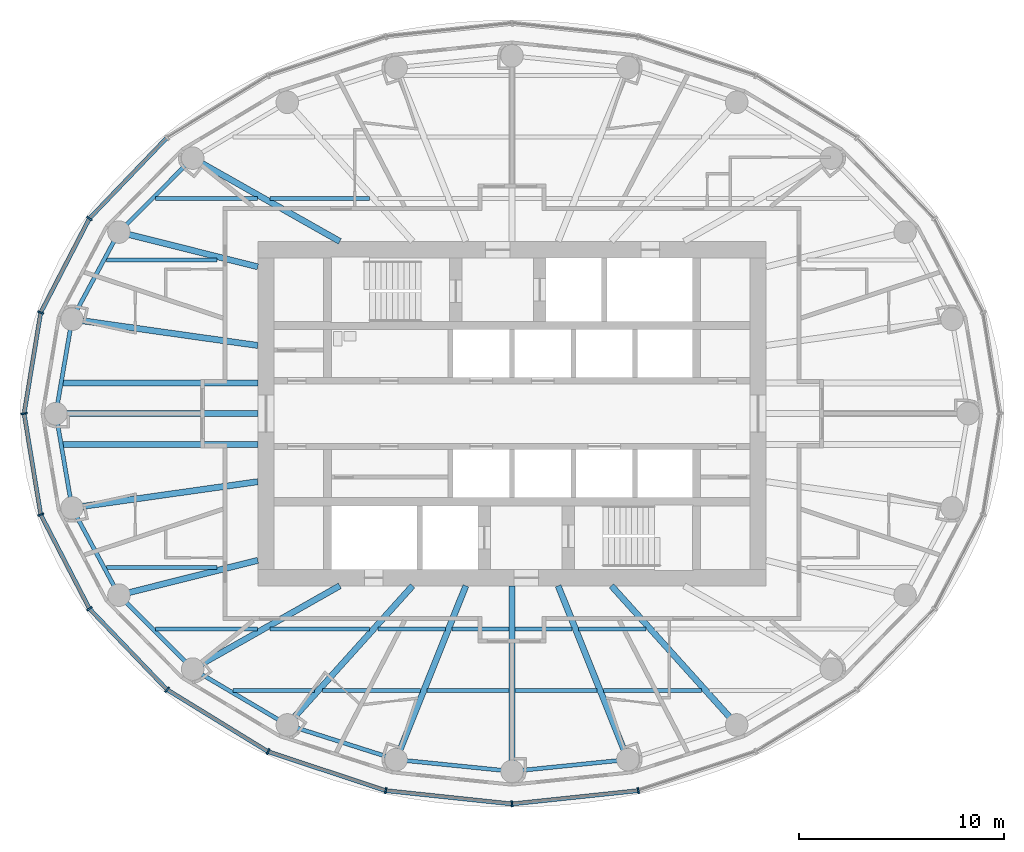
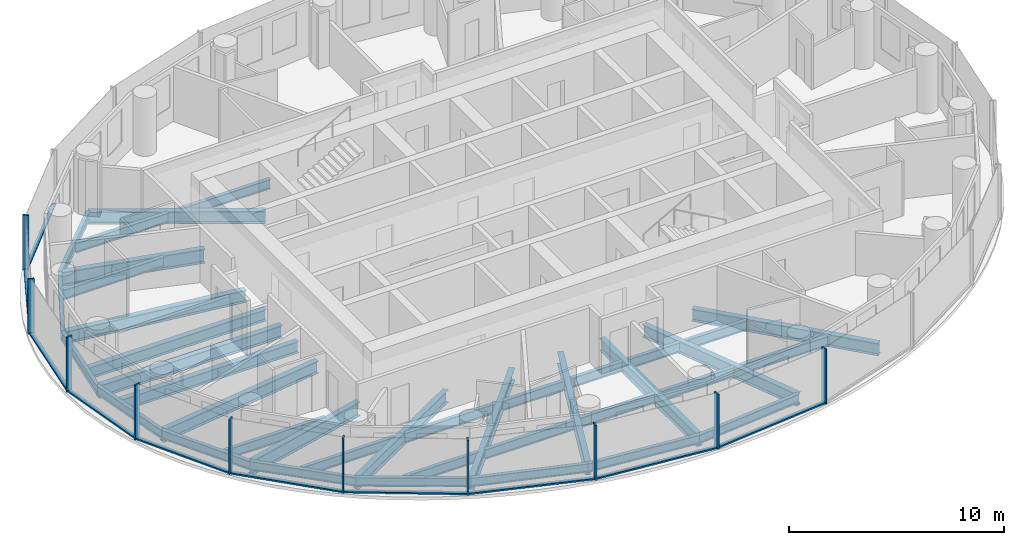
# One storey, part 2 of 16: 39 beams, 20 members, 3 elements without a shape of their own.
"""IFC4 building model written with IfcOpenShell, lengths in metres."""

import ifcopenshell
import ifcopenshell.guid

model = None  # the IFC model being written
_history = None  # IfcOwnerHistory: only IFC2X3 demands one
_inside = {}  # id of a spatial element -> (the spatial element, [elements in it])
_under = {}  # id of a project, library or spatial element -> (it, [spatial elements below it])
_declared = {}  # id of a project -> (the project, [libraries it declares])
_typed = {}  # id of a type object -> (the type object, [elements of that type])
_made_of = {}  # id of a material, layer set ... -> (it, [elements and type objects made of it])


def new_model(schema):
    """Start an empty IFC model of exactly this schema.

    Asked for "IFC4X3", IfcOpenShell would pick the latest addendum, in which some entities
    have other attributes; the version numbers below select the first issue.
    IFC2X3 requires an IfcOwnerHistory on every rooted entity: one is made here for all.
    """
    global model, _history
    if schema == "IFC4X3":
        model = ifcopenshell.file(schema_version=(4, 3, 0, 0))
    else:
        model = ifcopenshell.file(schema=schema)
    _inside.clear()
    _under.clear()
    _declared.clear()
    _typed.clear()
    _made_of.clear()
    _history = None
    if model.schema == "IFC2X3":
        org = make("IfcOrganization", Name="unknown")
        user = make(
            "IfcPersonAndOrganization",
            ThePerson=make("IfcPerson", FamilyName="unknown"),
            TheOrganization=org,
        )
        app = make(
            "IfcApplication",
            ApplicationDeveloper=org,
            Version="unknown",
            ApplicationFullName="unknown",
            ApplicationIdentifier="unknown",
        )
        _history = make(
            "IfcOwnerHistory",
            OwningUser=user,
            OwningApplication=app,
            ChangeAction="ADDED",
            CreationDate=0,
        )
    return model


def make(cls, **values):
    """One entity of the class cls with the attributes given. An attribute that is None is left unset."""
    return model.create_entity(
        cls, **{name: value for name, value in values.items() if value is not None}
    )


def rooted(cls, **values):
    """An entity with a GlobalId (a new one), such as an element, a storey or a relation."""
    return make(cls, GlobalId=ifcopenshell.guid.new(), OwnerHistory=_history, **values)


def si_unit(unit_type, name, prefix=None):
    """IfcSIUnit, for example si_unit("LENGTHUNIT", "METRE", prefix="MILLI")."""
    return make("IfcSIUnit", UnitType=unit_type, Prefix=prefix, Name=name)


def assignment(units):
    """IfcUnitAssignment: the units of a project."""
    return None if units is None else make("IfcUnitAssignment", Units=units)


def point(xyz):
    """IfcCartesianPoint."""
    return None if xyz is None else make("IfcCartesianPoint", Coordinates=xyz)


def direction(xyz):
    """IfcDirection."""
    return None if xyz is None else make("IfcDirection", DirectionRatios=xyz)


def frame(location, z_axis=None, x_axis=None):
    """IfcAxis2Placement3D, a coordinate frame: its origin and axes. An axis left out is left unset."""
    return make(
        "IfcAxis2Placement3D",
        Location=point(location),
        Axis=direction(z_axis),
        RefDirection=direction(x_axis),
    )


def frame_2d(location, x_axis=None):
    """IfcAxis2Placement2D, a coordinate frame in the plane: its origin and x axis."""
    return make(
        "IfcAxis2Placement2D", Location=point(location), RefDirection=direction(x_axis)
    )


def origin():
    """The frame at (0, 0, 0) with its axes left unset."""
    return frame((0.0, 0.0, 0.0))


def origin_2d():
    """The frame at (0, 0) in the plane with its x axis left unset."""
    return frame_2d((0.0, 0.0))


def place(relative_to, where):
    """IfcLocalPlacement: puts the frame where relative to a parent placement (None: the world)."""
    return make(
        "IfcLocalPlacement", PlacementRelTo=relative_to, RelativePlacement=where
    )


def context(
    kind, dimensions, precision=None, world=None, true_north=None, identifier=None
):
    """IfcGeometricRepresentationContext, for example the 3D "Model" context."""
    return make(
        "IfcGeometricRepresentationContext",
        ContextIdentifier=identifier,
        ContextType=kind,
        CoordinateSpaceDimension=dimensions,
        Precision=precision,
        WorldCoordinateSystem=world,
        TrueNorth=true_north,
    )


def subcontext(parent, identifier, kind, view, scale=None):
    """IfcGeometricRepresentationSubContext, for example "Body" below "Model"."""
    return make(
        "IfcGeometricRepresentationSubContext",
        ContextIdentifier=identifier,
        ContextType=kind,
        ParentContext=parent,
        TargetScale=scale,
        TargetView=view,
    )


def project(units=None, contexts=None):
    """IfcProject with its units and contexts."""
    return rooted(
        "IfcProject",
        Name="project",
        RepresentationContexts=contexts,
        UnitsInContext=assignment(units),
    )


def spatial(cls, under=None, at=None, **own):
    """A site, building, storey or space (cls), placed at a placement, below another one or the project."""
    s = rooted(cls, ObjectPlacement=at, **own)
    if under is not None:
        _under.setdefault(under.id(), (under, []))[1].append(s)
    return s


def profile(cls, at=None, kind="AREA", **sizes):
    """A parametric profile (cls). Its sizes go by their IFC names, for example OverallWidth=200.0."""
    return make(cls, ProfileType=kind, Position=at, **sizes)


def rectangle(**sizes):
    """IfcRectangleProfileDef."""
    return profile("IfcRectangleProfileDef", **sizes)


def i_section(**sizes):
    """IfcIShapeProfileDef."""
    return profile("IfcIShapeProfileDef", **sizes)


def extrude(swept, where, along, depth):
    """IfcExtrudedAreaSolid: the profile swept, set in the frame where, extruded along a direction by depth."""
    return make(
        "IfcExtrudedAreaSolid",
        SweptArea=swept,
        Position=where,
        ExtrudedDirection=direction(along),
        Depth=depth,
    )


def shape(context_of_items, identifier, shape_type, items):
    """IfcShapeRepresentation: the items that make up one representation, for example the "Body"."""
    return make(
        "IfcShapeRepresentation",
        ContextOfItems=context_of_items,
        RepresentationIdentifier=identifier,
        RepresentationType=shape_type,
        Items=items,
    )


def material(Name=None, Category=None):
    """IfcMaterial."""
    return make("IfcMaterial", Name=Name, Category=Category)


def material_profile(
    of_material, cross_section, Name=None, Category=None, Priority=None
):
    """IfcMaterialProfile: a cross section and its material."""
    return make(
        "IfcMaterialProfile",
        Name=Name,
        Material=of_material,
        Profile=cross_section,
        Priority=Priority,
        Category=Category,
    )


def profile_set(profiles, Name=None, composite=None):
    """IfcMaterialProfileSet."""
    return make(
        "IfcMaterialProfileSet",
        Name=Name,
        MaterialProfiles=profiles,
        CompositeProfile=composite,
    )


def made_of(thing, what):
    """Note that an element or type object is made of a material, layer set ...; save() writes the relation."""
    if what is not None:
        _made_of.setdefault(what.id(), (what, []))[1].append(thing)
    return thing


def type_object(cls, material=None, **own):
    """A type object (cls), such as IfcWallType, which elements share."""
    return made_of(rooted(cls, **own), material)


def element(
    cls,
    number,
    at=None,
    inside=None,
    cuts=None,
    type_object=None,
    material=None,
    context=None,
    identifier="Body",
    shape_type=None,
    held_by="IfcProductDefinitionShape",
    body=None,
    shapes=None,
    **own,
):
    """One element of the class cls, such as IfcWall. Its Tag is "e" and its number.

    at: its placement. inside: the storey or other place that contains it. cuts: it is an
    opening in that element (IfcRelVoidsElement). A single representation is given by context,
    identifier, shape_type and body (its items); several are given by shapes. held_by: the class
    of the entity that holds the representations. save() writes the other relations.
    """
    e = rooted(cls, Tag="e%d" % number, ObjectPlacement=at, **own)
    if body is not None:
        shapes = [shape(context, identifier, shape_type, body)]
    if shapes is not None:
        e.Representation = make(held_by, Representations=shapes)
    if inside is not None:
        _inside.setdefault(inside.id(), (inside, []))[1].append(e)
    if cuts is not None:
        rooted(
            "IfcRelVoidsElement", RelatingBuildingElement=cuts, RelatedOpeningElement=e
        )
    if type_object is not None:
        _typed.setdefault(type_object.id(), (type_object, []))[1].append(e)
    return made_of(e, material)


def aggregate(whole, parts):
    """IfcRelAggregates: a whole, such as a stair, and the parts it consists of."""
    return rooted("IfcRelAggregates", RelatingObject=whole, RelatedObjects=parts)


def save(model, path):
    """Write the relations noted so far, then the file.

    IfcRelAggregates (storeys below a building ...), IfcRelContainedInSpatialStructure (elements
    in a storey), IfcRelDefinesByType, IfcRelAssociatesMaterial and IfcRelDeclares: one each for
    every whole, place, type object, material and project.
    """
    for whole, parts in _under.values():
        aggregate(whole, parts)
    for where, things in _inside.values():
        rooted(
            "IfcRelContainedInSpatialStructure",
            RelatedElements=things,
            RelatingStructure=where,
        )
    for kind, things in _typed.values():
        rooted("IfcRelDefinesByType", RelatedObjects=things, RelatingType=kind)
    for what, things in _made_of.values():
        rooted("IfcRelAssociatesMaterial", RelatedObjects=things, RelatingMaterial=what)
    for by, libraries in _declared.values():
        rooted("IfcRelDeclares", RelatingContext=by, RelatedDefinitions=libraries)
    model.write(path)


model = new_model("IFC4")

# Units and contexts
model_context = context("Model", 3, precision=1e-05, world=origin(), true_north=direction((0.0, 1.0)))
body_context = subcontext(model_context, "Body", "Model", "MODEL_VIEW")
ifc_project = project(units=[si_unit("LENGTHUNIT", "METRE"), si_unit("AREAUNIT", "SQUARE_METRE"), si_unit("VOLUMEUNIT", "CUBIC_METRE"), si_unit("PLANEANGLEUNIT", "RADIAN"), si_unit("MASSUNIT", "GRAM", prefix="KILO")], contexts=[model_context])

# Site, building, storey
site_placement = place(None, origin())
site = spatial("IfcSite", under=ifc_project, at=site_placement, CompositionType="ELEMENT")
building_placement = place(site_placement, origin())
building = spatial("IfcBuilding", under=site, at=building_placement, Name="Hankou Lantern Tower", CompositionType="ELEMENT")
storey_placement = place(building_placement, frame((0.0, 0.0, 150.0)))
storey = spatial("IfcBuildingStorey", under=building, at=storey_placement, Name="L39", CompositionType="ELEMENT", Elevation=150.0)

# Beams
ifc_material_1 = material(Name="Steel Q355B", Category="steel")
ifc_material_profile_1 = material_profile(ifc_material_1, i_section(OverallWidth=0.199951171875, OverallDepth=0.5, WebThickness=0.010009765625, FlangeThickness=0.01611328125, FilletRadius=0.012939453125, at=origin_2d()), Name="HN500x200x10x16")
ifc_profile_set_1 = profile_set([ifc_material_profile_1], Name="Steel Q355B")
beam_type_1 = type_object("IfcBeamType", Name="EB5 RING BEAM HN500x200x10x16", PredefinedType="SPANDREL", material=ifc_profile_set_1)
beam_1_placement = place(storey_placement, frame((-15.576171875, 12.4609375, -0.429931640625), z_axis=(-0.706147278092, -0.708064984054, 0.0), x_axis=(0.708064984054, -0.706147278092, 0.0)))
element("IfcBeam", 1, at=beam_1_placement, inside=storey, type_object=beam_type_1, Name="Ring beam R10-R11 L39", PredefinedType="SPANDREL", context=body_context, shape_type="SweptSolid", body=[
    extrude(i_section(OverallWidth=0.199951171875, OverallDepth=0.5, WebThickness=0.010009765625, FlangeThickness=0.01611328125, FilletRadius=0.012939453125, at=origin_2d()), origin(), (0.0, 0.0, 1.0), 5.09228515625),
])
beam_2_placement = place(storey_placement, frame((-19.172119140625, 8.855224609375, -0.429931640625), z_axis=(-0.474051612334, -0.880497057828, 0.0), x_axis=(0.880497057828, -0.474051612334, 0.0)))
element("IfcBeam", 2, at=beam_2_placement, inside=storey, type_object=beam_type_1, Name="Ring beam R11-R12 L39", PredefinedType="SPANDREL", context=body_context, shape_type="SweptSolid", body=[
    extrude(i_section(OverallWidth=0.199951171875, OverallDepth=0.5, WebThickness=0.010009765625, FlangeThickness=0.01611328125, FilletRadius=0.012939453125, at=origin_2d()), origin(), (0.0, 0.0, 1.0), 4.831787109375),
])
for number, where, z_axis, x_axis, name in (
    (3, (-21.462646484375, 4.600830078125, -0.429931640625), (-0.168680718946, -0.985670743735, 0.0), (0.985670743735, -0.168680718946, 0.0), "Ring beam R12-R13 L39"),
    (4, (-22.25, 0.0, -0.429931640625), (0.168680718946, -0.985670743735, 0.0), (0.985670743735, 0.168680718946, 0.0), "Ring beam R13-R14 L39"),
):
    element("IfcBeam", number, at=place(storey_placement, frame(where, z_axis=z_axis, x_axis=x_axis)), inside=storey, type_object=beam_type_1, Name=name, PredefinedType="SPANDREL", context=body_context, shape_type="SweptSolid", body=[
        extrude(i_section(OverallWidth=0.199951171875, OverallDepth=0.5, WebThickness=0.010009765625, FlangeThickness=0.01611328125, FilletRadius=0.012939453125, at=origin_2d()), origin(), (0.0, 0.0, 1.0), 4.667724609375),
    ])
beam_3_placement = place(storey_placement, frame((-21.462646484375, -4.600830078125, -0.429931640625), z_axis=(0.474051612334, -0.880497057828, 0.0), x_axis=(0.880497057828, 0.474051612334, 0.0)))
element("IfcBeam", 5, at=beam_3_placement, inside=storey, type_object=beam_type_1, Name="Ring beam R14-R15 L39", PredefinedType="SPANDREL", context=body_context, shape_type="SweptSolid", body=[
    extrude(i_section(OverallWidth=0.199951171875, OverallDepth=0.5, WebThickness=0.010009765625, FlangeThickness=0.01611328125, FilletRadius=0.012939453125, at=origin_2d()), origin(), (0.0, 0.0, 1.0), 4.831787109375),
])
beam_4_placement = place(storey_placement, frame((-19.172119140625, -8.855224609375, -0.429931640625), z_axis=(0.706147278092, -0.708064984054, 0.0), x_axis=(0.708064984054, 0.706147278092, 0.0)))
element("IfcBeam", 6, at=beam_4_placement, inside=storey, type_object=beam_type_1, Name="Ring beam R15-R16 L39", PredefinedType="SPANDREL", context=body_context, shape_type="SweptSolid", body=[
    extrude(i_section(OverallWidth=0.199951171875, OverallDepth=0.5, WebThickness=0.010009765625, FlangeThickness=0.01611328125, FilletRadius=0.012939453125, at=origin_2d()), origin(), (0.0, 0.0, 1.0), 5.09228515625),
])
beam_5_placement = place(storey_placement, frame((-15.576171875, -12.4609375, -0.429931640625), z_axis=(0.861135888339, -0.508374843806, 0.0), x_axis=(0.508374843806, 0.861135888339, 0.0)))
element("IfcBeam", 7, at=beam_5_placement, inside=storey, type_object=beam_type_1, Name="Ring beam R16-R17 L39", PredefinedType="SPANDREL", context=body_context, shape_type="SweptSolid", body=[
    extrude(i_section(OverallWidth=0.199951171875, OverallDepth=0.5, WebThickness=0.010009765625, FlangeThickness=0.01611328125, FilletRadius=0.012939453125, at=origin_2d()), origin(), (0.0, 0.0, 1.0), 5.36083984375),
])
beam_6_placement = place(storey_placement, frame((-10.959716796875, -15.186279296875, -0.429931640625), z_axis=(0.952790404271, -0.30362879562, 0.0), x_axis=(0.30362879562, 0.952790404271, 0.0)))
element("IfcBeam", 8, at=beam_6_placement, inside=storey, type_object=beam_type_1, Name="Ring beam R17-R18 L39", PredefinedType="SPANDREL", context=body_context, shape_type="SweptSolid", body=[
    extrude(i_section(OverallWidth=0.199951171875, OverallDepth=0.5, WebThickness=0.010009765625, FlangeThickness=0.01611328125, FilletRadius=0.012939453125, at=origin_2d()), origin(), (0.0, 0.0, 1.0), 5.56982421875),
])
for number, where, z_axis, x_axis, name in (
    (9, (-5.65283203125, -16.87744140625, -0.429931640625), (0.9949104636, -0.100762936734, 0.0), (0.100762936734, 0.9949104636, 0.0), "Ring beam R18-R19 L39"),
    (10, (0.0, -17.449951171875, -0.429931640625), (0.9949104636, 0.100762936734, 0.0), (-0.100762936734, 0.9949104636, 0.0), "Ring beam R19-R20 L39"),
):
    element("IfcBeam", number, at=place(storey_placement, frame(where, z_axis=z_axis, x_axis=x_axis)), inside=storey, type_object=beam_type_1, Name=name, PredefinedType="SPANDREL", context=body_context, shape_type="SweptSolid", body=[
        extrude(i_section(OverallWidth=0.199951171875, OverallDepth=0.5, WebThickness=0.010009765625, FlangeThickness=0.01611328125, FilletRadius=0.012939453125, at=origin_2d()), origin(), (0.0, 0.0, 1.0), 5.681640625),
    ])

# Curtain wall, members
ifc_material_2 = material(Name="Glass, dark grey tinted laminated", Category="glass")
curtain_wall_type = type_object("IfcCurtainWallType", Name="CWC OUTER SKIN HIGH-RISE", PredefinedType="USERDEFINED", material=ifc_material_2)
curtain_wall_1_placement = place(storey_placement, origin())
curtain_wall_1 = element("IfcCurtainWall", 11, at=curtain_wall_1_placement, inside=storey, type_object=curtain_wall_type, Name="CWC L39 OS2", ObjectType="OUTER SKIN HIGH-RISE", PredefinedType="USERDEFINED")
ifc_material_3 = material(Name="Aluminium, black anodised", Category="aluminium")
ifc_material_profile_2 = material_profile(ifc_material_3, rectangle(XDim=0.080078125, YDim=0.300048828125, at=origin_2d()), Name="MU1 80X300")
ifc_profile_set_2 = profile_set([ifc_material_profile_2], Name="Aluminium, black anodised")
member_type_1 = type_object("IfcMemberType", Name="MU1 OUTER SKIN MULLION 80X300", PredefinedType="MULLION", material=ifc_profile_set_2)
member_1_placement = place(storey_placement, frame((-20.611328125, 9.52001953125, 0.0), z_axis=(0.0, 0.0, 1.0), x_axis=(-0.585205735974, -0.810884854084, 0.0)))
member_1 = element("IfcMember", 12, at=member_1_placement, type_object=member_type_1, Name="CWC mullion 5", PredefinedType="MULLION", context=body_context, shape_type="SweptSolid", body=[
    extrude(rectangle(XDim=0.080078125, YDim=0.300048828125, at=origin_2d()), origin(), (0.0, 0.0, 1.0), 3.1201171875),
])
member_2_placement = place(storey_placement, frame((-22.989013671875, 4.927978515625, 0.0), z_axis=(0.0, 0.0, 1.0), x_axis=(-0.317595577365, -0.94822626479, 0.0)))
member_2 = element("IfcMember", 13, at=member_2_placement, type_object=member_type_1, Name="CWC mullion 6", PredefinedType="MULLION", context=body_context, shape_type="SweptSolid", body=[
    extrude(rectangle(XDim=0.080078125, YDim=0.300048828125, at=origin_2d()), origin(), (0.0, 0.0, 1.0), 3.1201171875),
])

curtain_wall_2_placement = place(storey_placement, origin())
curtain_wall_2 = element("IfcCurtainWall", 14, at=curtain_wall_2_placement, inside=storey, type_object=curtain_wall_type, Name="CWC L39 OS3", ObjectType="OUTER SKIN HIGH-RISE", PredefinedType="USERDEFINED")
member_3_placement = place(storey_placement, frame((-23.800048828125, 0.0, 0.0), z_axis=(0.0, 0.0, 1.0), x_axis=(0.162381515188, -0.986728049427, 0.0)))
member_3 = element("IfcMember", 15, at=member_3_placement, type_object=member_type_1, Name="CWC mullion 1", PredefinedType="MULLION", context=body_context, shape_type="SweptSolid", body=[
    extrude(rectangle(XDim=0.080078125, YDim=0.300048828125, at=origin_2d()), origin(), (0.0, 0.0, 1.0), 3.1201171875),
])
member_4_placement = place(storey_placement, frame((-22.989013671875, -4.927978515625, 0.0), z_axis=(0.0, 0.0, 1.0), x_axis=(0.317595577365, -0.94822626479, 0.0)))
member_4 = element("IfcMember", 16, at=member_4_placement, type_object=member_type_1, Name="CWC mullion 2", PredefinedType="MULLION", context=body_context, shape_type="SweptSolid", body=[
    extrude(rectangle(XDim=0.080078125, YDim=0.300048828125, at=origin_2d()), origin(), (0.0, 0.0, 1.0), 3.1201171875),
])
member_5_placement = place(storey_placement, frame((-20.611328125, -9.52001953125, 0.0), z_axis=(0.0, 0.0, 1.0), x_axis=(0.585205735974, -0.810884854084, 0.0)))
member_5 = element("IfcMember", 17, at=member_5_placement, type_object=member_type_1, Name="CWC mullion 3", PredefinedType="MULLION", context=body_context, shape_type="SweptSolid", body=[
    extrude(rectangle(XDim=0.080078125, YDim=0.300048828125, at=origin_2d()), origin(), (0.0, 0.0, 1.0), 3.1201171875),
])
member_6_placement = place(storey_placement, frame((-16.8291015625, -13.46337890625, 0.0), z_axis=(0.0, 0.0, 1.0), x_axis=(0.780868809444, -0.624695047553, 0.0)))
member_6 = element("IfcMember", 18, at=member_6_placement, type_object=member_type_1, Name="CWC mullion 4", PredefinedType="MULLION", context=body_context, shape_type="SweptSolid", body=[
    extrude(rectangle(XDim=0.080078125, YDim=0.300048828125, at=origin_2d()), origin(), (0.0, 0.0, 1.0), 3.1201171875),
])
member_7_placement = place(storey_placement, frame((-11.89990234375, -16.489013671875, 0.0), z_axis=(0.0, 0.0, 1.0), x_axis=(0.907841299004, -0.419313934686, 0.0)))
member_7 = element("IfcMember", 19, at=member_7_placement, type_object=member_type_1, Name="CWC mullion 5", PredefinedType="MULLION", context=body_context, shape_type="SweptSolid", body=[
    extrude(rectangle(XDim=0.080078125, YDim=0.300048828125, at=origin_2d()), origin(), (0.0, 0.0, 1.0), 3.1201171875),
])
member_8_placement = place(storey_placement, frame((-6.159912109375, -18.39111328125, 0.0), z_axis=(0.0, 0.0, 1.0), x_axis=(0.977787659625, -0.209597931016, 0.0)))
member_8 = element("IfcMember", 20, at=member_8_placement, type_object=member_type_1, Name="CWC mullion 6", PredefinedType="MULLION", context=body_context, shape_type="SweptSolid", body=[
    extrude(rectangle(XDim=0.080078125, YDim=0.300048828125, at=origin_2d()), origin(), (0.0, 0.0, 1.0), 3.1201171875),
])

curtain_wall_3_placement = place(storey_placement, origin())
curtain_wall_3 = element("IfcCurtainWall", 21, at=curtain_wall_3_placement, inside=storey, type_object=curtain_wall_type, Name="CWC L39 OS4", ObjectType="OUTER SKIN HIGH-RISE", PredefinedType="USERDEFINED")
member_9_placement = place(storey_placement, frame((0.0, -19.0400390625, 0.0), z_axis=(0.0, 0.0, 1.0), x_axis=(0.994499359107, 0.104742659579, 0.0)))
member_9 = element("IfcMember", 22, at=member_9_placement, type_object=member_type_1, Name="CWC mullion 1", PredefinedType="MULLION", context=body_context, shape_type="SweptSolid", body=[
    extrude(rectangle(XDim=0.080078125, YDim=0.300048828125, at=origin_2d()), origin(), (0.0, 0.0, 1.0), 3.1201171875),
])
member_10_placement = place(storey_placement, frame((6.159912109375, -18.39111328125, 0.0), z_axis=(0.0, 0.0, 1.0), x_axis=(0.977787659625, 0.209597931016, 0.0)))
member_10 = element("IfcMember", 23, at=member_10_placement, type_object=member_type_1, Name="CWC mullion 2", PredefinedType="MULLION", context=body_context, shape_type="SweptSolid", body=[
    extrude(rectangle(XDim=0.080078125, YDim=0.300048828125, at=origin_2d()), origin(), (0.0, 0.0, 1.0), 3.1201171875),
])

# Beams
ifc_material_4 = material(Name="Steel Q355B", Category="steel")
ifc_material_profile_3 = material_profile(ifc_material_4, i_section(OverallWidth=0.300048828125, OverallDepth=0.800048828125, WebThickness=0.013916015625, FlangeThickness=0.02587890625, FilletRadius=0.01806640625, at=origin_2d()), Name="HN800x300x14x26")
ifc_profile_set_3 = profile_set([ifc_material_profile_3], Name="Steel Q355B")
beam_type_2 = type_object("IfcBeamType", Name="RB11 RADIAL BEAM HN800x300x14x26", PredefinedType="BEAM", material=ifc_profile_set_3)
for number, where, z_axis, x_axis, name in (
    (24, (-12.39990234375, 7.1591796875, -0.580078125), (-0.970041619568, 0.242938791274, 0.0), (-0.242938791274, -0.970041619568, 0.0), "Radial beam R11 L39"),
    (25, (-12.39990234375, -7.1591796875, -0.580078125), (-0.970041619568, -0.242938791274, 0.0), (0.242938791274, -0.970041619568, 0.0), "Radial beam R15 L39"),
):
    element("IfcBeam", number, at=place(storey_placement, frame(where, z_axis=z_axis, x_axis=x_axis)), inside=storey, type_object=beam_type_2, Name=name, PredefinedType="BEAM", context=body_context, shape_type="SweptSolid", body=[
        extrude(i_section(OverallWidth=0.300048828125, OverallDepth=0.800048828125, WebThickness=0.013916015625, FlangeThickness=0.02587890625, FilletRadius=0.01806640625, at=origin_2d()), origin(), (0.0, 0.0, 1.0), 6.9814453125),
    ])
ifc_material_5 = material(Name="Steel Q355B", Category="steel")
ifc_material_profile_4 = material_profile(ifc_material_5, i_section(OverallWidth=0.300048828125, OverallDepth=0.699951171875, WebThickness=0.012939453125, FlangeThickness=0.02392578125, FilletRadius=0.01806640625, at=origin_2d()), Name="HN700x300x13x24")
ifc_profile_set_4 = profile_set([ifc_material_profile_4], Name="Steel Q355B")
beam_type_3 = type_object("IfcBeamType", Name="RB9 RADIAL BEAM HN700x300x13x24", PredefinedType="BEAM", material=ifc_profile_set_4)
beam_7_placement = place(storey_placement, frame((-8.39990234375, 8.39990234375, -0.530029296875), z_axis=(-0.870309058024, 0.492505983234, 0.0), x_axis=(-0.492505983234, -0.870309058024, 0.0)))
element("IfcBeam", 26, at=beam_7_placement, inside=storey, type_object=beam_type_3, Name="Radial beam R10 L39", PredefinedType="BEAM", context=body_context, shape_type="SweptSolid", body=[
    extrude(i_section(OverallWidth=0.300048828125, OverallDepth=0.699951171875, WebThickness=0.012939453125, FlangeThickness=0.02392578125, FilletRadius=0.01806640625, at=origin_2d()), origin(), (0.0, 0.0, 1.0), 8.24560546875),
])
beam_8_placement = place(storey_placement, frame((-12.39990234375, 3.322509765625, -0.530029296875), z_axis=(-0.990198154617, 0.13966966239, 0.0), x_axis=(-0.13966966239, -0.990198154617, 0.0)))
element("IfcBeam", 27, at=beam_8_placement, inside=storey, type_object=beam_type_3, Name="Radial beam R12 L39", PredefinedType="BEAM", context=body_context, shape_type="SweptSolid", body=[
    extrude(i_section(OverallWidth=0.300048828125, OverallDepth=0.699951171875, WebThickness=0.012939453125, FlangeThickness=0.02392578125, FilletRadius=0.01806640625, at=origin_2d()), origin(), (0.0, 0.0, 1.0), 9.15234375),
])
beam_9_placement = place(storey_placement, frame((-12.39990234375, 0.0, -0.530029296875), z_axis=(-1.0, 0.0, 0.0), x_axis=(0.0, -1.0, 0.0)))
element("IfcBeam", 28, at=beam_9_placement, inside=storey, type_object=beam_type_3, Name="Radial beam R13 L39", PredefinedType="BEAM", context=body_context, shape_type="SweptSolid", body=[
    extrude(i_section(OverallWidth=0.300048828125, OverallDepth=0.699951171875, WebThickness=0.012939453125, FlangeThickness=0.02392578125, FilletRadius=0.01806640625, at=origin_2d()), origin(), (0.0, 0.0, 1.0), 9.85009765625),
])
beam_10_placement = place(storey_placement, frame((-12.39990234375, -3.322509765625, -0.530029296875), z_axis=(-0.990198154617, -0.13966966239, 0.0), x_axis=(0.13966966239, -0.990198154617, 0.0)))
element("IfcBeam", 29, at=beam_10_placement, inside=storey, type_object=beam_type_3, Name="Radial beam R14 L39", PredefinedType="BEAM", context=body_context, shape_type="SweptSolid", body=[
    extrude(i_section(OverallWidth=0.300048828125, OverallDepth=0.699951171875, WebThickness=0.012939453125, FlangeThickness=0.02392578125, FilletRadius=0.01806640625, at=origin_2d()), origin(), (0.0, 0.0, 1.0), 9.15234375),
])
beam_11_placement = place(storey_placement, frame((-8.39990234375, -8.39990234375, -0.530029296875), z_axis=(-0.870309058024, -0.492505983234, 0.0), x_axis=(0.492505983234, -0.870309058024, 0.0)))
element("IfcBeam", 30, at=beam_11_placement, inside=storey, type_object=beam_type_3, Name="Radial beam R16 L39", PredefinedType="BEAM", context=body_context, shape_type="SweptSolid", body=[
    extrude(i_section(OverallWidth=0.300048828125, OverallDepth=0.699951171875, WebThickness=0.012939453125, FlangeThickness=0.02392578125, FilletRadius=0.01806640625, at=origin_2d()), origin(), (0.0, 0.0, 1.0), 8.24560546875),
])
beam_12_placement = place(storey_placement, frame((-4.849853515625, -8.39990234375, -0.530029296875), z_axis=(-0.669093231314, -0.743178476418, 0.0), x_axis=(0.743178476418, -0.669093231314, 0.0)))
element("IfcBeam", 31, at=beam_12_placement, inside=storey, type_object=beam_type_3, Name="Radial beam R17 L39", PredefinedType="BEAM", context=body_context, shape_type="SweptSolid", body=[
    extrude(i_section(OverallWidth=0.300048828125, OverallDepth=0.699951171875, WebThickness=0.012939453125, FlangeThickness=0.02392578125, FilletRadius=0.01806640625, at=origin_2d()), origin(), (0.0, 0.0, 1.0), 9.131591796875),
])
beam_13_placement = place(storey_placement, frame((-2.250732421875, -8.39990234375, -0.530029296875), z_axis=(-0.372436468133, -0.928057690666, 0.0), x_axis=(0.928057690666, -0.372436468133, 0.0)))
element("IfcBeam", 32, at=beam_13_placement, inside=storey, type_object=beam_type_3, Name="Radial beam R18 L39", PredefinedType="BEAM", context=body_context, shape_type="SweptSolid", body=[
    extrude(i_section(OverallWidth=0.300048828125, OverallDepth=0.699951171875, WebThickness=0.012939453125, FlangeThickness=0.02392578125, FilletRadius=0.01806640625, at=origin_2d()), origin(), (0.0, 0.0, 1.0), 9.134765625),
])
beam_14_placement = place(storey_placement, frame((0.0, -8.39990234375, -0.530029296875), z_axis=(0.0, -1.0, 0.0), x_axis=(1.0, 0.0, 0.0)))
element("IfcBeam", 33, at=beam_14_placement, inside=storey, type_object=beam_type_3, Name="Radial beam R19 L39", PredefinedType="BEAM", context=body_context, shape_type="SweptSolid", body=[
    extrude(i_section(OverallWidth=0.300048828125, OverallDepth=0.699951171875, WebThickness=0.012939453125, FlangeThickness=0.02392578125, FilletRadius=0.01806640625, at=origin_2d()), origin(), (0.0, 0.0, 1.0), 9.050048828125),
])
beam_15_placement = place(storey_placement, frame((2.250732421875, -8.39990234375, -0.530029296875), z_axis=(0.372436468133, -0.928057690666, 0.0), x_axis=(0.928057690666, 0.372436468133, 0.0)))
element("IfcBeam", 34, at=beam_15_placement, inside=storey, type_object=beam_type_3, Name="Radial beam R20 L39", PredefinedType="BEAM", context=body_context, shape_type="SweptSolid", body=[
    extrude(i_section(OverallWidth=0.300048828125, OverallDepth=0.699951171875, WebThickness=0.012939453125, FlangeThickness=0.02392578125, FilletRadius=0.01806640625, at=origin_2d()), origin(), (0.0, 0.0, 1.0), 9.134765625),
])
beam_16_placement = place(storey_placement, frame((4.849853515625, -8.39990234375, -0.530029296875), z_axis=(0.669093231314, -0.743178476418, 0.0), x_axis=(0.743178476418, 0.669093231314, 0.0)))
element("IfcBeam", 35, at=beam_16_placement, inside=storey, type_object=beam_type_3, Name="Radial beam R21 L39", PredefinedType="BEAM", context=body_context, shape_type="SweptSolid", body=[
    extrude(i_section(OverallWidth=0.300048828125, OverallDepth=0.699951171875, WebThickness=0.012939453125, FlangeThickness=0.02392578125, FilletRadius=0.01806640625, at=origin_2d()), origin(), (0.0, 0.0, 1.0), 9.131591796875),
])
ifc_material_6 = material(Name="Steel Q355B", Category="steel")
ifc_material_profile_5 = material_profile(ifc_material_6, i_section(OverallWidth=0.199951171875, OverallDepth=0.550048828125, WebThickness=0.010009765625, FlangeThickness=0.01611328125, FilletRadius=0.012939453125, at=origin_2d()), Name="HN550x200x10x16")
ifc_profile_set_5 = profile_set([ifc_material_profile_5], Name="Steel Q355B")
beam_type_4 = type_object("IfcBeamType", Name="SB6 SECONDARY BEAM HN550x200x10x16", PredefinedType="JOIST", material=ifc_profile_set_5)
beam_17_placement = place(storey_placement, frame((-13.619384765625, -13.5, -0.455078125), z_axis=(1.0, 0.0, 0.0), x_axis=(0.0, 1.0, 0.0)))
element("IfcBeam", 36, at=beam_17_placement, inside=storey, type_object=beam_type_4, Name="Floor joist J001 L39", PredefinedType="JOIST", context=body_context, shape_type="SweptSolid", body=[
    extrude(i_section(OverallWidth=0.199951171875, OverallDepth=0.550048828125, WebThickness=0.010009765625, FlangeThickness=0.01611328125, FilletRadius=0.012939453125, at=origin_2d()), origin(), (0.0, 0.0, 1.0), 3.97607421875),
])
beam_18_placement = place(storey_placement, frame((-9.23974609375, -13.5, -0.455078125), z_axis=(1.0, 0.0, 0.0), x_axis=(0.0, 1.0, 0.0)))
element("IfcBeam", 37, at=beam_18_placement, inside=storey, type_object=beam_type_4, Name="Floor joist J002 L39", PredefinedType="JOIST", context=body_context, shape_type="SweptSolid", body=[
    extrude(i_section(OverallWidth=0.199951171875, OverallDepth=0.550048828125, WebThickness=0.010009765625, FlangeThickness=0.01611328125, FilletRadius=0.012939453125, at=origin_2d()), origin(), (0.0, 0.0, 1.0), 4.780517578125),
])
for number, where, z_axis, x_axis, name in (
    (38, (-4.135986328125, -13.5, -0.455078125), (1.0, 0.0, 0.0), (0.0, 1.0, 0.0), "Floor joist J003 L39"),
    (39, (0.14990234375, -13.5, -0.455078125), (1.0, 0.0, 0.0), (0.0, 1.0, 0.0), "Floor joist J004 L39"),
):
    element("IfcBeam", number, at=place(storey_placement, frame(where, z_axis=z_axis, x_axis=x_axis)), inside=storey, type_object=beam_type_4, Name=name, PredefinedType="JOIST", context=body_context, shape_type="SweptSolid", body=[
        extrude(i_section(OverallWidth=0.199951171875, OverallDepth=0.550048828125, WebThickness=0.010009765625, FlangeThickness=0.01611328125, FilletRadius=0.012939453125, at=origin_2d()), origin(), (0.0, 0.0, 1.0), 3.986083984375),
    ])
beam_19_placement = place(storey_placement, frame((4.459228515625, -13.5, -0.455078125), z_axis=(1.0, 0.0, 0.0), x_axis=(0.0, 1.0, 0.0)))
element("IfcBeam", 40, at=beam_19_placement, inside=storey, type_object=beam_type_4, Name="Floor joist J005 L39", PredefinedType="JOIST", context=body_context, shape_type="SweptSolid", body=[
    extrude(i_section(OverallWidth=0.199951171875, OverallDepth=0.550048828125, WebThickness=0.010009765625, FlangeThickness=0.01611328125, FilletRadius=0.012939453125, at=origin_2d()), origin(), (0.0, 0.0, 1.0), 4.780517578125),
])
beam_20_placement = place(storey_placement, frame((-17.390625, -10.5, -0.455078125), z_axis=(1.0, 0.0, 0.0), x_axis=(0.0, 1.0, 0.0)))
element("IfcBeam", 41, at=beam_20_placement, inside=storey, type_object=beam_type_4, Name="Floor joist J007 L39", PredefinedType="JOIST", context=body_context, shape_type="SweptSolid", body=[
    extrude(i_section(OverallWidth=0.199951171875, OverallDepth=0.550048828125, WebThickness=0.010009765625, FlangeThickness=0.01611328125, FilletRadius=0.012939453125, at=origin_2d()), origin(), (0.0, 0.0, 1.0), 4.97509765625),
])
beam_21_placement = place(storey_placement, frame((-11.806396484375, -10.5, -0.455078125), z_axis=(1.0, 0.0, 0.0), x_axis=(0.0, 1.0, 0.0)))
element("IfcBeam", 42, at=beam_21_placement, inside=storey, type_object=beam_type_4, Name="Floor joist J008 L39", PredefinedType="JOIST", context=body_context, shape_type="SweptSolid", body=[
    extrude(i_section(OverallWidth=0.199951171875, OverallDepth=0.550048828125, WebThickness=0.010009765625, FlangeThickness=0.01611328125, FilletRadius=0.012939453125, at=origin_2d()), origin(), (0.0, 0.0, 1.0), 4.864013671875),
])
beam_22_placement = place(storey_placement, frame((-6.53857421875, -10.5, -0.455078125), z_axis=(1.0, 0.0, 0.0), x_axis=(0.0, 1.0, 0.0)))
element("IfcBeam", 43, at=beam_22_placement, inside=storey, type_object=beam_type_4, Name="Floor joist J009 L39", PredefinedType="JOIST", context=body_context, shape_type="SweptSolid", body=[
    extrude(i_section(OverallWidth=0.199951171875, OverallDepth=0.550048828125, WebThickness=0.010009765625, FlangeThickness=0.01611328125, FilletRadius=0.012939453125, at=origin_2d()), origin(), (0.0, 0.0, 1.0), 3.283447265625),
])
for number, where, z_axis, x_axis, name in (
    (44, (-2.931884765625, -10.5, -0.455078125), (1.0, 0.0, 0.0), (0.0, 1.0, 0.0), "Floor joist J010 L39"),
    (45, (0.14990234375, -10.5, -0.455078125), (1.0, 0.0, 0.0), (0.0, 1.0, 0.0), "Floor joist J011 L39"),
):
    element("IfcBeam", number, at=place(storey_placement, frame(where, z_axis=z_axis, x_axis=x_axis)), inside=storey, type_object=beam_type_4, Name=name, PredefinedType="JOIST", context=body_context, shape_type="SweptSolid", body=[
        extrude(i_section(OverallWidth=0.199951171875, OverallDepth=0.550048828125, WebThickness=0.010009765625, FlangeThickness=0.01611328125, FilletRadius=0.012939453125, at=origin_2d()), origin(), (0.0, 0.0, 1.0), 2.781982421875),
    ])
beam_23_placement = place(storey_placement, frame((3.255126953125, -10.5, -0.455078125), z_axis=(1.0, 0.0, 0.0), x_axis=(0.0, 1.0, 0.0)))
element("IfcBeam", 46, at=beam_23_placement, inside=storey, type_object=beam_type_4, Name="Floor joist J012 L39", PredefinedType="JOIST", context=body_context, shape_type="SweptSolid", body=[
    extrude(i_section(OverallWidth=0.199951171875, OverallDepth=0.550048828125, WebThickness=0.010009765625, FlangeThickness=0.01611328125, FilletRadius=0.012939453125, at=origin_2d()), origin(), (0.0, 0.0, 1.0), 3.283447265625),
])
for number, where, z_axis, x_axis, name in (
    (47, (-19.788330078125, -7.5, -0.455078125), (1.0, 0.0, 0.0), (0.0, 1.0, 0.0), "Floor joist J015 L39"),
    (48, (-19.788330078125, 7.5, -0.455078125), (1.0, 0.0, 0.0), (0.0, 1.0, 0.0), "Floor joist J025 L39"),
):
    element("IfcBeam", number, at=place(storey_placement, frame(where, z_axis=z_axis, x_axis=x_axis)), inside=storey, type_object=beam_type_4, Name=name, PredefinedType="JOIST", context=body_context, shape_type="SweptSolid", body=[
        extrude(i_section(OverallWidth=0.199951171875, OverallDepth=0.550048828125, WebThickness=0.010009765625, FlangeThickness=0.01611328125, FilletRadius=0.012939453125, at=origin_2d()), origin(), (0.0, 0.0, 1.0), 5.409912109375),
    ])
beam_24_placement = place(storey_placement, frame((-17.390625, 10.5, -0.455078125), z_axis=(1.0, 0.0, 0.0), x_axis=(0.0, 1.0, 0.0)))
element("IfcBeam", 49, at=beam_24_placement, inside=storey, type_object=beam_type_4, Name="Floor joist J027 L39", PredefinedType="JOIST", context=body_context, shape_type="SweptSolid", body=[
    extrude(i_section(OverallWidth=0.199951171875, OverallDepth=0.550048828125, WebThickness=0.010009765625, FlangeThickness=0.01611328125, FilletRadius=0.012939453125, at=origin_2d()), origin(), (0.0, 0.0, 1.0), 4.97509765625),
])
beam_25_placement = place(storey_placement, frame((-11.806396484375, 10.5, -0.455078125), z_axis=(1.0, 0.0, 0.0), x_axis=(0.0, 1.0, 0.0)))
element("IfcBeam", 50, at=beam_25_placement, inside=storey, type_object=beam_type_4, Name="Floor joist J028 L39", PredefinedType="JOIST", context=body_context, shape_type="SweptSolid", body=[
    extrude(i_section(OverallWidth=0.199951171875, OverallDepth=0.550048828125, WebThickness=0.010009765625, FlangeThickness=0.01611328125, FilletRadius=0.012939453125, at=origin_2d()), origin(), (0.0, 0.0, 1.0), 4.864013671875),
])
ifc_material_7 = material(Name="Steel Q355B", Category="steel")
ifc_material_profile_6 = material_profile(ifc_material_7, i_section(OverallWidth=0.300048828125, OverallDepth=0.64990234375, WebThickness=0.010986328125, FlangeThickness=0.01708984375, FilletRadius=0.01806640625, at=origin_2d()), Name="HN650x300x11x17")
ifc_profile_set_6 = profile_set([ifc_material_profile_6], Name="Steel Q355B")
beam_type_5 = type_object("IfcBeamType", Name="SB8 SECONDARY BEAM HN650x300x11x17", PredefinedType="JOIST", material=ifc_profile_set_6)
for number, where, z_axis, x_axis, name in (
    (51, (-21.891845703125, -1.5, -0.5048828125), (1.0, 0.0, 0.0), (0.0, 1.0, 0.0), "Floor joist J019 L39"),
    (52, (-21.891845703125, 1.5, -0.5048828125), (1.0, 0.0, 0.0), (0.0, 1.0, 0.0), "Floor joist J021 L39"),
):
    element("IfcBeam", number, at=place(storey_placement, frame(where, z_axis=z_axis, x_axis=x_axis)), inside=storey, type_object=beam_type_5, Name=name, PredefinedType="JOIST", context=body_context, shape_type="SweptSolid", body=[
        extrude(i_section(OverallWidth=0.300048828125, OverallDepth=0.64990234375, WebThickness=0.010986328125, FlangeThickness=0.01708984375, FilletRadius=0.01806640625, at=origin_2d()), origin(), (0.0, 0.0, 1.0), 9.491943359375),
    ])

# Member
ifc_material_8 = material(Name="Aluminium, black anodised", Category="aluminium")
ifc_material_profile_7 = material_profile(ifc_material_8, rectangle(XDim=0.199951171875, YDim=0.080078125, at=origin_2d()), Name="TR1 200X80")
ifc_profile_set_7 = profile_set([ifc_material_profile_7], Name="Aluminium, black anodised")
member_type_2 = type_object("IfcMemberType", Name="TR1 OUTER SKIN TRANSOM 200X80", PredefinedType="USERDEFINED", material=ifc_profile_set_7)
member_11_placement = place(storey_placement, frame((-16.85693359375, 13.434326171875, 0.0400390625), z_axis=(-0.692215543831, -0.721690820836, 0.0), x_axis=(0.721690820836, -0.692215543831, 0.0)))
member_11 = element("IfcMember", 53, at=member_11_placement, type_object=member_type_2, Name="CWC transom 4", ObjectType="TRANSOM", PredefinedType="USERDEFINED", context=body_context, shape_type="SweptSolid", body=[
    extrude(rectangle(XDim=0.199951171875, YDim=0.080078125, at=origin_2d()), origin(), (0.0, 0.0, 1.0), 5.3837890625),
])

member_12_placement = place(storey_placement, frame((-20.6298828125, 9.484375, 0.0400390625), z_axis=(-0.459790772977, -0.888027277219, 0.0), x_axis=(0.888027277219, -0.459790772977, 0.0)))
member_12 = element("IfcMember", 54, at=member_12_placement, type_object=member_type_2, Name="CWC transom 5", ObjectType="TRANSOM", PredefinedType="USERDEFINED", context=body_context, shape_type="SweptSolid", body=[
    extrude(rectangle(XDim=0.199951171875, YDim=0.080078125, at=origin_2d()), origin(), (0.0, 0.0, 1.0), 5.091064453125),
])

member_13_placement = place(storey_placement, frame((-22.99560546875, 4.888427734375, 0.0400390625), z_axis=(-0.162360337061, -0.986731534385, 0.0), x_axis=(0.986731534385, -0.162360337061, 0.0)))
member_13 = element("IfcMember", 55, at=member_13_placement, type_object=member_type_2, Name="CWC transom 6", ObjectType="TRANSOM", PredefinedType="USERDEFINED", context=body_context, shape_type="SweptSolid", body=[
    extrude(rectangle(XDim=0.199951171875, YDim=0.080078125, at=origin_2d()), origin(), (0.0, 0.0, 1.0), 4.9140625),
])

aggregate(curtain_wall_1, [member_1, member_2, member_11, member_12, member_13])

member_14_placement = place(storey_placement, frame((-23.79345703125, -0.03955078125, 0.0400390625), z_axis=(0.162360337061, -0.986731534385, 0.0), x_axis=(0.986731534385, 0.162360337061, 0.0)))
member_14 = element("IfcMember", 56, at=member_14_placement, type_object=member_type_2, Name="CWC transom 1", ObjectType="TRANSOM", PredefinedType="USERDEFINED", context=body_context, shape_type="SweptSolid", body=[
    extrude(rectangle(XDim=0.199951171875, YDim=0.080078125, at=origin_2d()), origin(), (0.0, 0.0, 1.0), 4.9140625),
])

member_15_placement = place(storey_placement, frame((-22.970703125, -4.96337890625, 0.0400390625), z_axis=(0.459790772977, -0.888027277219, 0.0), x_axis=(0.888027277219, 0.459790772977, 0.0)))
member_15 = element("IfcMember", 57, at=member_15_placement, type_object=member_type_2, Name="CWC transom 2", ObjectType="TRANSOM", PredefinedType="USERDEFINED", context=body_context, shape_type="SweptSolid", body=[
    extrude(rectangle(XDim=0.199951171875, YDim=0.080078125, at=origin_2d()), origin(), (0.0, 0.0, 1.0), 5.091064453125),
])

member_16_placement = place(storey_placement, frame((-20.583740234375, -9.548828125, 0.0400390625), z_axis=(0.692215543831, -0.721690820836, 0.0), x_axis=(0.721690820836, 0.692215543831, 0.0)))
member_16 = element("IfcMember", 58, at=member_16_placement, type_object=member_type_2, Name="CWC transom 3", ObjectType="TRANSOM", PredefinedType="USERDEFINED", context=body_context, shape_type="SweptSolid", body=[
    extrude(rectangle(XDim=0.199951171875, YDim=0.080078125, at=origin_2d()), origin(), (0.0, 0.0, 1.0), 5.3837890625),
])

member_17_placement = place(storey_placement, frame((-16.795166015625, -13.484130859375, 0.0400390625), z_axis=(0.852229482357, -0.523168146394, 0.0), x_axis=(0.523168146394, 0.852229482357, 0.0)))
member_17 = element("IfcMember", 59, at=member_17_placement, type_object=member_type_2, Name="CWC transom 4", ObjectType="TRANSOM", PredefinedType="USERDEFINED", context=body_context, shape_type="SweptSolid", body=[
    extrude(rectangle(XDim=0.199951171875, YDim=0.080078125, at=origin_2d()), origin(), (0.0, 0.0, 1.0), 5.703857421875),
])

member_18_placement = place(storey_placement, frame((-11.862060546875, -16.501708984375, 0.0400390625), z_axis=(0.949242327551, -0.314545709849, 0.0), x_axis=(0.314545709849, 0.949242327551, 0.0)))
member_18 = element("IfcMember", 60, at=member_18_placement, type_object=member_type_2, Name="CWC transom 5", ObjectType="TRANSOM", PredefinedType="USERDEFINED", context=body_context, shape_type="SweptSolid", body=[
    extrude(rectangle(XDim=0.199951171875, YDim=0.080078125, at=origin_2d()), origin(), (0.0, 0.0, 1.0), 5.96728515625),
])

member_19_placement = place(storey_placement, frame((-6.1201171875, -18.3955078125, 0.0400390625), z_axis=(0.994499543631, -0.104740907567, 0.0), x_axis=(0.104740907567, 0.994499543631, 0.0)))
member_19 = element("IfcMember", 61, at=member_19_placement, type_object=member_type_2, Name="CWC transom 6", ObjectType="TRANSOM", PredefinedType="USERDEFINED", context=body_context, shape_type="SweptSolid", body=[
    extrude(rectangle(XDim=0.199951171875, YDim=0.080078125, at=origin_2d()), origin(), (0.0, 0.0, 1.0), 6.114013671875),
])

aggregate(curtain_wall_2, [member_3, member_4, member_5, member_6, member_7, member_8, member_14, member_15, member_16, member_17, member_18, member_19])

member_20_placement = place(storey_placement, frame((0.039794921875, -19.035888671875, 0.0400390625), z_axis=(0.994499543631, 0.104740907567, 0.0), x_axis=(-0.104740907567, 0.994499543631, 0.0)))
member_20 = element("IfcMember", 62, at=member_20_placement, type_object=member_type_2, Name="CWC transom 1", ObjectType="TRANSOM", PredefinedType="USERDEFINED", context=body_context, shape_type="SweptSolid", body=[
    extrude(rectangle(XDim=0.199951171875, YDim=0.080078125, at=origin_2d()), origin(), (0.0, 0.0, 1.0), 6.114013671875),
])

aggregate(curtain_wall_3, [member_9, member_10, member_20])

save(model, "model.ifc")
